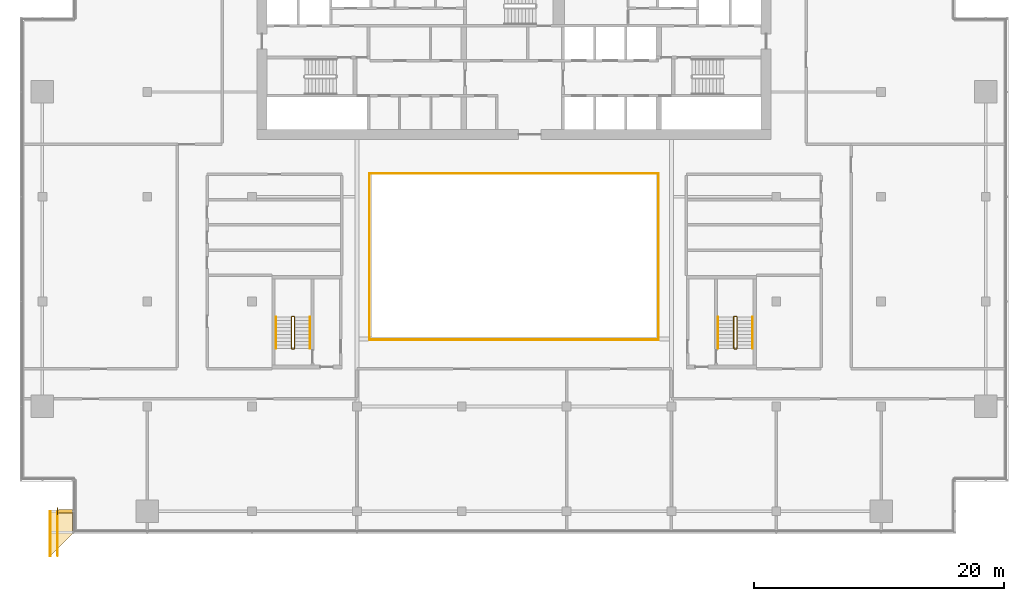
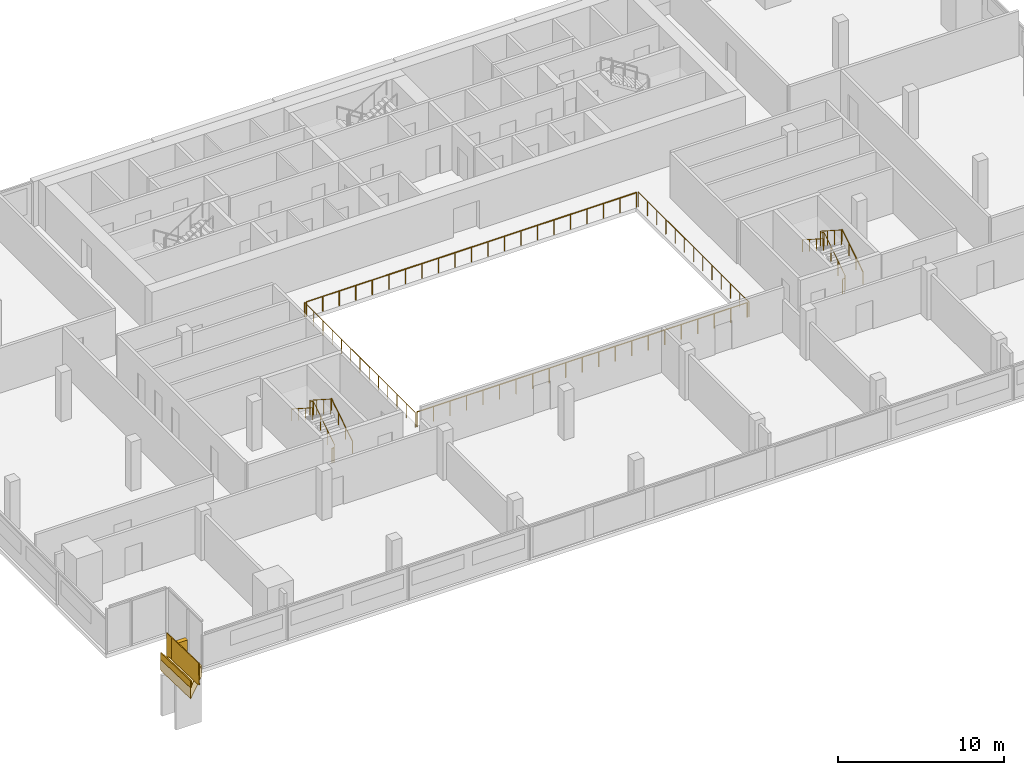
# One storey, part 23 of 24: 12 railings, 3 coverings.
"""IFC4 building model written with IfcOpenShell, lengths in metres."""

from ifc_helpers import new_model, si_unit, direction, frame, origin, origin_2d, place, context, subcontext, project, spatial, polyline, rectangle, circle, outline, extrude, material, layer, layer_set, type_object, element, save


model = new_model("IFC4")

# Units and contexts
model_context = context("Model", 3, precision=1e-05, world=origin(), true_north=direction((0.0, 1.0)))
body_context = subcontext(model_context, "Body", "Model", "MODEL_VIEW")
ifc_project = project(units=[si_unit("LENGTHUNIT", "METRE"), si_unit("AREAUNIT", "SQUARE_METRE"), si_unit("VOLUMEUNIT", "CUBIC_METRE"), si_unit("PLANEANGLEUNIT", "RADIAN"), si_unit("MASSUNIT", "GRAM", prefix="KILO")], contexts=[model_context])

# Site, building, storey
site_placement = place(None, origin())
site = spatial("IfcSite", under=ifc_project, at=site_placement, CompositionType="ELEMENT")
building_placement = place(site_placement, origin())
building = spatial("IfcBuilding", under=site, at=building_placement, Name="Saffron Gate Tower", CompositionType="ELEMENT")
storey_placement = place(building_placement, frame((0.0, 0.0, 190.64990234375)))
storey = spatial("IfcBuildingStorey", under=building, at=storey_placement, Name="L47", CompositionType="ELEMENT", Elevation=190.64990234375)

# Railings
ifc_material_1 = material(Name="Stainless steel and laminated glass", Category="steel")
railing_type_1 = type_object("IfcRailingType", Name="AG1 Atrium edge guard 1100", PredefinedType="GUARDRAIL", material=ifc_material_1)
railing_1_placement = place(storey_placement, frame((76.02001953125, 45.5400390625, 0.0)))
element("IfcRailing", 1, at=railing_1_placement, inside=storey, type_object=railing_type_1, Name="Guard C5-1", PredefinedType="GUARDRAIL", context=body_context, shape_type="SweptSolid", body=[
    extrude(circle(Radius=0.02392578125, at=origin_2d()), frame((0.0, 0.0, 1.076171875), z_axis=(0.0, 1.0, 0.0), x_axis=(-1.0, 0.0, 0.0)), (0.0, 0.0, 1.0), 13.320068359375),
    extrude(circle(Radius=0.02099609375, at=origin_2d()), origin(), (0.0, 0.0, 1.0), 1.052001953125),
    extrude(circle(Radius=0.02099609375, at=origin_2d()), frame((0.0, 1.110107421875, 0.0)), (0.0, 0.0, 1.0), 1.052001953125),
    extrude(circle(Radius=0.02099609375, at=origin_2d()), frame((0.0, 2.219970703125, 0.0)), (0.0, 0.0, 1.0), 1.052001953125),
    extrude(circle(Radius=0.02099609375, at=origin_2d()), frame((0.0, 3.330078125, 0.0)), (0.0, 0.0, 1.0), 1.052001953125),
    extrude(circle(Radius=0.02099609375, at=origin_2d()), frame((0.0, 4.43994140625, 0.0)), (0.0, 0.0, 1.0), 1.052001953125),
    extrude(circle(Radius=0.02099609375, at=origin_2d()), frame((0.0, 5.550048828125, 0.0)), (0.0, 0.0, 1.0), 1.052001953125),
    extrude(circle(Radius=0.02099609375, at=origin_2d()), frame((0.0, 6.66015625, 0.0)), (0.0, 0.0, 1.0), 1.052001953125),
    extrude(circle(Radius=0.02099609375, at=origin_2d()), frame((0.0, 7.77001953125, 0.0)), (0.0, 0.0, 1.0), 1.052001953125),
    extrude(circle(Radius=0.02099609375, at=origin_2d()), frame((0.0, 8.880126953125, 0.0)), (0.0, 0.0, 1.0), 1.052001953125),
    extrude(circle(Radius=0.02099609375, at=origin_2d()), frame((0.0, 9.989990234375, 0.0)), (0.0, 0.0, 1.0), 1.052001953125),
    extrude(circle(Radius=0.02099609375, at=origin_2d()), frame((0.0, 11.10009765625, 0.0)), (0.0, 0.0, 1.0), 1.052001953125),
    extrude(circle(Radius=0.02099609375, at=origin_2d()), frame((0.0, 12.2099609375, 0.0)), (0.0, 0.0, 1.0), 1.052001953125),
    extrude(circle(Radius=0.02099609375, at=origin_2d()), frame((0.0, 13.320068359375, 0.0)), (0.0, 0.0, 1.0), 1.052001953125),
])
railing_2_placement = place(storey_placement, frame((76.139892578125, 58.860107421875, 0.0)))
element("IfcRailing", 2, at=railing_2_placement, inside=storey, type_object=railing_type_1, Name="Guard C5-2", PredefinedType="GUARDRAIL", context=body_context, shape_type="SweptSolid", body=[
    extrude(circle(Radius=0.02392578125, at=origin_2d()), frame((0.0, 0.0, 1.076171875), z_axis=(1.0, 0.0, 0.0), x_axis=(0.0, 1.0, 0.0)), (0.0, 0.0, 1.0), 22.920166015625),
    extrude(circle(Radius=0.02099609375, at=origin_2d()), origin(), (0.0, 0.0, 1.0), 1.052001953125),
    extrude(circle(Radius=0.02099609375, at=origin_2d()), frame((1.14599609375, 0.0, 0.0)), (0.0, 0.0, 1.0), 1.052001953125),
    extrude(circle(Radius=0.02099609375, at=origin_2d()), frame((2.2919921875, 0.0, 0.0)), (0.0, 0.0, 1.0), 1.052001953125),
    extrude(circle(Radius=0.02099609375, at=origin_2d()), frame((3.43798828125, 0.0, 0.0)), (0.0, 0.0, 1.0), 1.052001953125),
    extrude(circle(Radius=0.02099609375, at=origin_2d()), frame((4.583984375, 0.0, 0.0)), (0.0, 0.0, 1.0), 1.052001953125),
    extrude(circle(Radius=0.02099609375, at=origin_2d()), frame((5.72998046875, 0.0, 0.0)), (0.0, 0.0, 1.0), 1.052001953125),
    extrude(circle(Radius=0.02099609375, at=origin_2d()), frame((6.8759765625, 0.0, 0.0)), (0.0, 0.0, 1.0), 1.052001953125),
    extrude(circle(Radius=0.02099609375, at=origin_2d()), frame((8.02197265625, 0.0, 0.0)), (0.0, 0.0, 1.0), 1.052001953125),
    extrude(circle(Radius=0.02099609375, at=origin_2d()), frame((9.16796875, 0.0, 0.0)), (0.0, 0.0, 1.0), 1.052001953125),
    extrude(circle(Radius=0.02099609375, at=origin_2d()), frame((10.31396484375, 0.0, 0.0)), (0.0, 0.0, 1.0), 1.052001953125),
    extrude(circle(Radius=0.02099609375, at=origin_2d()), frame((11.4599609375, 0.0, 0.0)), (0.0, 0.0, 1.0), 1.052001953125),
    extrude(circle(Radius=0.02099609375, at=origin_2d()), frame((12.606201171875, 0.0, 0.0)), (0.0, 0.0, 1.0), 1.052001953125),
    extrude(circle(Radius=0.02099609375, at=origin_2d()), frame((13.752197265625, 0.0, 0.0)), (0.0, 0.0, 1.0), 1.052001953125),
    extrude(circle(Radius=0.02099609375, at=origin_2d()), frame((14.898193359375, 0.0, 0.0)), (0.0, 0.0, 1.0), 1.052001953125),
    extrude(circle(Radius=0.02099609375, at=origin_2d()), frame((16.044189453125, 0.0, 0.0)), (0.0, 0.0, 1.0), 1.052001953125),
    extrude(circle(Radius=0.02099609375, at=origin_2d()), frame((17.190185546875, 0.0, 0.0)), (0.0, 0.0, 1.0), 1.052001953125),
    extrude(circle(Radius=0.02099609375, at=origin_2d()), frame((18.336181640625, 0.0, 0.0)), (0.0, 0.0, 1.0), 1.052001953125),
    extrude(circle(Radius=0.02099609375, at=origin_2d()), frame((19.482177734375, 0.0, 0.0)), (0.0, 0.0, 1.0), 1.052001953125),
    extrude(circle(Radius=0.02099609375, at=origin_2d()), frame((20.628173828125, 0.0, 0.0)), (0.0, 0.0, 1.0), 1.052001953125),
    extrude(circle(Radius=0.02099609375, at=origin_2d()), frame((21.774169921875, 0.0, 0.0)), (0.0, 0.0, 1.0), 1.052001953125),
    extrude(circle(Radius=0.02099609375, at=origin_2d()), frame((22.920166015625, 0.0, 0.0)), (0.0, 0.0, 1.0), 1.052001953125),
])
railing_3_placement = place(storey_placement, frame((99.179931640625, 58.860107421875, 0.0)))
element("IfcRailing", 3, at=railing_3_placement, inside=storey, type_object=railing_type_1, Name="Guard C5-3", PredefinedType="GUARDRAIL", context=body_context, shape_type="SweptSolid", body=[
    extrude(circle(Radius=0.02392578125, at=origin_2d()), frame((0.0, 0.0, 1.076171875), z_axis=(0.0, -1.0, 0.0), x_axis=(1.0, 0.0, 0.0)), (0.0, 0.0, 1.0), 13.320068359375),
    extrude(circle(Radius=0.02099609375, at=origin_2d()), origin(), (0.0, 0.0, 1.0), 1.052001953125),
    extrude(circle(Radius=0.02099609375, at=origin_2d()), frame((0.0, -1.110107421875, 0.0)), (0.0, 0.0, 1.0), 1.052001953125),
    extrude(circle(Radius=0.02099609375, at=origin_2d()), frame((0.0, -2.219970703125, 0.0)), (0.0, 0.0, 1.0), 1.052001953125),
    extrude(circle(Radius=0.02099609375, at=origin_2d()), frame((0.0, -3.330078125, 0.0)), (0.0, 0.0, 1.0), 1.052001953125),
    extrude(circle(Radius=0.02099609375, at=origin_2d()), frame((0.0, -4.43994140625, 0.0)), (0.0, 0.0, 1.0), 1.052001953125),
    extrude(circle(Radius=0.02099609375, at=origin_2d()), frame((0.0, -5.550048828125, 0.0)), (0.0, 0.0, 1.0), 1.052001953125),
    extrude(circle(Radius=0.02099609375, at=origin_2d()), frame((0.0, -6.66015625, 0.0)), (0.0, 0.0, 1.0), 1.052001953125),
    extrude(circle(Radius=0.02099609375, at=origin_2d()), frame((0.0, -7.77001953125, 0.0)), (0.0, 0.0, 1.0), 1.052001953125),
    extrude(circle(Radius=0.02099609375, at=origin_2d()), frame((0.0, -8.880126953125, 0.0)), (0.0, 0.0, 1.0), 1.052001953125),
    extrude(circle(Radius=0.02099609375, at=origin_2d()), frame((0.0, -9.989990234375, 0.0)), (0.0, 0.0, 1.0), 1.052001953125),
    extrude(circle(Radius=0.02099609375, at=origin_2d()), frame((0.0, -11.10009765625, 0.0)), (0.0, 0.0, 1.0), 1.052001953125),
    extrude(circle(Radius=0.02099609375, at=origin_2d()), frame((0.0, -12.2099609375, 0.0)), (0.0, 0.0, 1.0), 1.052001953125),
    extrude(circle(Radius=0.02099609375, at=origin_2d()), frame((0.0, -13.320068359375, 0.0)), (0.0, 0.0, 1.0), 1.052001953125),
])
railing_4_placement = place(storey_placement, frame((99.06005859375, 45.5400390625, 0.0)))
element("IfcRailing", 4, at=railing_4_placement, inside=storey, type_object=railing_type_1, Name="Guard C5-4", PredefinedType="GUARDRAIL", context=body_context, shape_type="SweptSolid", body=[
    extrude(circle(Radius=0.02392578125, at=origin_2d()), frame((0.0, 0.0, 1.076171875), z_axis=(-1.0, 0.0, 0.0), x_axis=(0.0, -1.0, 0.0)), (0.0, 0.0, 1.0), 22.920166015625),
    extrude(circle(Radius=0.02099609375, at=origin_2d()), origin(), (0.0, 0.0, 1.0), 1.052001953125),
    extrude(circle(Radius=0.02099609375, at=origin_2d()), frame((-1.14599609375, 0.0, 0.0)), (0.0, 0.0, 1.0), 1.052001953125),
    extrude(circle(Radius=0.02099609375, at=origin_2d()), frame((-2.2919921875, 0.0, 0.0)), (0.0, 0.0, 1.0), 1.052001953125),
    extrude(circle(Radius=0.02099609375, at=origin_2d()), frame((-3.43798828125, 0.0, 0.0)), (0.0, 0.0, 1.0), 1.052001953125),
    extrude(circle(Radius=0.02099609375, at=origin_2d()), frame((-4.583984375, 0.0, 0.0)), (0.0, 0.0, 1.0), 1.052001953125),
    extrude(circle(Radius=0.02099609375, at=origin_2d()), frame((-5.72998046875, 0.0, 0.0)), (0.0, 0.0, 1.0), 1.052001953125),
    extrude(circle(Radius=0.02099609375, at=origin_2d()), frame((-6.8759765625, 0.0, 0.0)), (0.0, 0.0, 1.0), 1.052001953125),
    extrude(circle(Radius=0.02099609375, at=origin_2d()), frame((-8.02197265625, 0.0, 0.0)), (0.0, 0.0, 1.0), 1.052001953125),
    extrude(circle(Radius=0.02099609375, at=origin_2d()), frame((-9.16796875, 0.0, 0.0)), (0.0, 0.0, 1.0), 1.052001953125),
    extrude(circle(Radius=0.02099609375, at=origin_2d()), frame((-10.31396484375, 0.0, 0.0)), (0.0, 0.0, 1.0), 1.052001953125),
    extrude(circle(Radius=0.02099609375, at=origin_2d()), frame((-11.4599609375, 0.0, 0.0)), (0.0, 0.0, 1.0), 1.052001953125),
    extrude(circle(Radius=0.02099609375, at=origin_2d()), frame((-12.606201171875, 0.0, 0.0)), (0.0, 0.0, 1.0), 1.052001953125),
    extrude(circle(Radius=0.02099609375, at=origin_2d()), frame((-13.752197265625, 0.0, 0.0)), (0.0, 0.0, 1.0), 1.052001953125),
    extrude(circle(Radius=0.02099609375, at=origin_2d()), frame((-14.898193359375, 0.0, 0.0)), (0.0, 0.0, 1.0), 1.052001953125),
    extrude(circle(Radius=0.02099609375, at=origin_2d()), frame((-16.044189453125, 0.0, 0.0)), (0.0, 0.0, 1.0), 1.052001953125),
    extrude(circle(Radius=0.02099609375, at=origin_2d()), frame((-17.190185546875, 0.0, 0.0)), (0.0, 0.0, 1.0), 1.052001953125),
    extrude(circle(Radius=0.02099609375, at=origin_2d()), frame((-18.336181640625, 0.0, 0.0)), (0.0, 0.0, 1.0), 1.052001953125),
    extrude(circle(Radius=0.02099609375, at=origin_2d()), frame((-19.482177734375, 0.0, 0.0)), (0.0, 0.0, 1.0), 1.052001953125),
    extrude(circle(Radius=0.02099609375, at=origin_2d()), frame((-20.628173828125, 0.0, 0.0)), (0.0, 0.0, 1.0), 1.052001953125),
    extrude(circle(Radius=0.02099609375, at=origin_2d()), frame((-21.774169921875, 0.0, 0.0)), (0.0, 0.0, 1.0), 1.052001953125),
    extrude(circle(Radius=0.02099609375, at=origin_2d()), frame((-22.920166015625, 0.0, 0.0)), (0.0, 0.0, 1.0), 1.052001953125),
])
railing_type_2 = type_object("IfcRailingType", Name="CR1 Stair guard 1100", PredefinedType="GUARDRAIL", material=ifc_material_1)
railing_5_placement = place(storey_placement, frame((69.800048828125, 44.800048828125, 0.0)))
element("IfcRailing", 5, at=railing_5_placement, inside=storey, type_object=railing_type_2, Name="L47 ST-D stair guard 1", PredefinedType="GUARDRAIL", context=body_context, shape_type="SweptSolid", body=[
    extrude(circle(Radius=0.02392578125, at=origin_2d()), frame((0.0, 0.0, 1.076171875), z_axis=(1.0, 0.0, 0.0), x_axis=(0.0, 1.0, 0.0)), (0.0, 0.0, 1.0), 0.14990234375),
    extrude(circle(Radius=0.02392578125, at=origin_2d()), frame((0.14990234375, 0.0, 1.076171875), z_axis=(0.258543844998, 0.258543844998, 0.930757841991), x_axis=(-0.707106781187, 0.707106781187, 0.0)), (0.0, 0.0, 1.0), 0.193603515625),
    extrude(circle(Radius=0.02392578125, at=origin_2d()), frame((0.199951171875, 0.050048828125, 1.25634765625), z_axis=(0.0, 0.841199657755, 0.540724639528), x_axis=(-1.0, 0.0, 0.0)), (0.0, 0.0, 1.0), 2.995849609375),
    extrude(circle(Radius=0.02392578125, at=origin_2d()), frame((0.199951171875, 2.570068359375, 2.8759765625), z_axis=(-0.708833529934, 0.705375805398, 0.0), x_axis=(-0.705375805398, -0.708833529934, 0.0)), (0.0, 0.0, 1.0), 0.070556640625),
    extrude(circle(Radius=0.02392578125, at=origin_2d()), frame((0.14990234375, 2.619873046875, 2.8759765625), z_axis=(-1.0, 0.0, 0.0), x_axis=(0.0, -1.0, 0.0)), (0.0, 0.0, 1.0), 0.14990234375),
    extrude(circle(Radius=0.02392578125, at=origin_2d()), frame((0.0, 2.619873046875, 2.8759765625), z_axis=(-0.258932105505, -0.257669022063, 0.930892496375), x_axis=(0.705375805398, -0.708833529934, 0.0)), (0.0, 0.0, 1.0), 0.193359375),
    extrude(circle(Radius=0.02392578125, at=origin_2d()), frame((-0.050048828125, 2.570068359375, 3.05615234375), z_axis=(0.0, -0.841162588446, 0.540782303519), x_axis=(1.0, 0.0, 0.0)), (0.0, 0.0, 1.0), 2.995849609375),
    extrude(circle(Radius=0.02099609375, at=origin_2d()), origin(), (0.0, 0.0, 1.0), 1.052001953125),
    extrude(circle(Radius=0.02099609375, at=origin_2d()), frame((0.14990234375, 0.0, 0.0)), (0.0, 0.0, 1.0), 1.052001953125),
    extrude(circle(Radius=0.02099609375, at=origin_2d()), frame((0.199951171875, 0.050048828125, 0.18017578125)), (0.0, 0.0, 1.0), 1.052001953125),
    extrude(circle(Radius=0.02099609375, at=origin_2d()), frame((0.199951171875, 0.89013671875, 0.72021484375)), (0.0, 0.0, 1.0), 1.052001953125),
    extrude(circle(Radius=0.02099609375, at=origin_2d()), frame((0.199951171875, 1.72998046875, 1.260009765625)), (0.0, 0.0, 1.0), 1.052001953125),
    extrude(circle(Radius=0.02099609375, at=origin_2d()), frame((0.199951171875, 2.570068359375, 1.800048828125)), (0.0, 0.0, 1.0), 1.052001953125),
    extrude(circle(Radius=0.02099609375, at=origin_2d()), frame((0.14990234375, 2.619873046875, 1.800048828125)), (0.0, 0.0, 1.0), 1.052001953125),
    extrude(circle(Radius=0.02099609375, at=origin_2d()), frame((0.0, 2.619873046875, 1.800048828125)), (0.0, 0.0, 1.0), 1.052001953125),
    extrude(circle(Radius=0.02099609375, at=origin_2d()), frame((-0.050048828125, 2.570068359375, 1.97998046875)), (0.0, 0.0, 1.0), 1.052001953125),
    extrude(circle(Radius=0.02099609375, at=origin_2d()), frame((-0.050048828125, 1.72998046875, 2.52001953125)), (0.0, 0.0, 1.0), 1.052001953125),
    extrude(circle(Radius=0.02099609375, at=origin_2d()), frame((-0.050048828125, 0.89013671875, 3.06005859375)), (0.0, 0.0, 1.0), 1.052001953125),
    extrude(circle(Radius=0.02099609375, at=origin_2d()), frame((-0.050048828125, 0.050048828125, 3.60009765625)), (0.0, 0.0, 1.0), 1.052001953125),
])
railing_6_placement = place(storey_placement, frame((105.25, 44.800048828125, 0.0)))
element("IfcRailing", 6, at=railing_6_placement, inside=storey, type_object=railing_type_2, Name="L47 ST-E stair guard 1", PredefinedType="GUARDRAIL", context=body_context, shape_type="SweptSolid", body=[
    extrude(circle(Radius=0.02392578125, at=origin_2d()), frame((0.0, 0.0, 1.076171875), z_axis=(1.0, 0.0, 0.0), x_axis=(0.0, 1.0, 0.0)), (0.0, 0.0, 1.0), 0.14990234375),
    extrude(circle(Radius=0.02392578125, at=origin_2d()), frame((0.14990234375, 0.0, 1.076171875), z_axis=(0.258543844998, 0.258543844998, 0.930757841991), x_axis=(-0.707106781187, 0.707106781187, 0.0)), (0.0, 0.0, 1.0), 0.193603515625),
    extrude(circle(Radius=0.02392578125, at=origin_2d()), frame((0.199951171875, 0.050048828125, 1.25634765625), z_axis=(0.0, 0.841199657755, 0.540724639528), x_axis=(-1.0, 0.0, 0.0)), (0.0, 0.0, 1.0), 2.995849609375),
    extrude(circle(Radius=0.02392578125, at=origin_2d()), frame((0.199951171875, 2.570068359375, 2.8759765625), z_axis=(-0.708833529934, 0.705375805398, 0.0), x_axis=(-0.705375805398, -0.708833529934, 0.0)), (0.0, 0.0, 1.0), 0.070556640625),
    extrude(circle(Radius=0.02392578125, at=origin_2d()), frame((0.14990234375, 2.619873046875, 2.8759765625), z_axis=(-1.0, 0.0, 0.0), x_axis=(0.0, -1.0, 0.0)), (0.0, 0.0, 1.0), 0.14990234375),
    extrude(circle(Radius=0.02392578125, at=origin_2d()), frame((0.0, 2.619873046875, 2.8759765625), z_axis=(-0.258932105505, -0.257669022063, 0.930892496375), x_axis=(0.705375805398, -0.708833529934, 0.0)), (0.0, 0.0, 1.0), 0.193359375),
    extrude(circle(Radius=0.02392578125, at=origin_2d()), frame((-0.050048828125, 2.570068359375, 3.05615234375), z_axis=(0.0, -0.841162588446, 0.540782303519), x_axis=(1.0, 0.0, 0.0)), (0.0, 0.0, 1.0), 2.995849609375),
    extrude(circle(Radius=0.02099609375, at=origin_2d()), origin(), (0.0, 0.0, 1.0), 1.052001953125),
    extrude(circle(Radius=0.02099609375, at=origin_2d()), frame((0.14990234375, 0.0, 0.0)), (0.0, 0.0, 1.0), 1.052001953125),
    extrude(circle(Radius=0.02099609375, at=origin_2d()), frame((0.199951171875, 0.050048828125, 0.18017578125)), (0.0, 0.0, 1.0), 1.052001953125),
    extrude(circle(Radius=0.02099609375, at=origin_2d()), frame((0.199951171875, 0.89013671875, 0.72021484375)), (0.0, 0.0, 1.0), 1.052001953125),
    extrude(circle(Radius=0.02099609375, at=origin_2d()), frame((0.199951171875, 1.72998046875, 1.260009765625)), (0.0, 0.0, 1.0), 1.052001953125),
    extrude(circle(Radius=0.02099609375, at=origin_2d()), frame((0.199951171875, 2.570068359375, 1.800048828125)), (0.0, 0.0, 1.0), 1.052001953125),
    extrude(circle(Radius=0.02099609375, at=origin_2d()), frame((0.14990234375, 2.619873046875, 1.800048828125)), (0.0, 0.0, 1.0), 1.052001953125),
    extrude(circle(Radius=0.02099609375, at=origin_2d()), frame((0.0, 2.619873046875, 1.800048828125)), (0.0, 0.0, 1.0), 1.052001953125),
    extrude(circle(Radius=0.02099609375, at=origin_2d()), frame((-0.050048828125, 2.570068359375, 1.97998046875)), (0.0, 0.0, 1.0), 1.052001953125),
    extrude(circle(Radius=0.02099609375, at=origin_2d()), frame((-0.050048828125, 1.72998046875, 2.52001953125)), (0.0, 0.0, 1.0), 1.052001953125),
    extrude(circle(Radius=0.02099609375, at=origin_2d()), frame((-0.050048828125, 0.89013671875, 3.06005859375)), (0.0, 0.0, 1.0), 1.052001953125),
    extrude(circle(Radius=0.02099609375, at=origin_2d()), frame((-0.050048828125, 0.050048828125, 3.60009765625)), (0.0, 0.0, 1.0), 1.052001953125),
])
ifc_material_2 = material(Name="Stainless steel", Category="steel")
railing_type_3 = type_object("IfcRailingType", Name="CR2 Stair handrail 900", PredefinedType="HANDRAIL", material=ifc_material_2)
railing_7_placement = place(storey_placement, frame((71.25, 44.85009765625, 0.18017578125)))
element("IfcRailing", 7, at=railing_7_placement, inside=storey, type_object=railing_type_3, Name="L47 ST-D stair handrail 1", PredefinedType="HANDRAIL", context=body_context, shape_type="SweptSolid", body=[
    extrude(circle(Radius=0.02392578125, at=origin_2d()), frame((0.0, 0.0, 0.8759765625), z_axis=(0.0, 0.841199657755, 0.540724639528), x_axis=(-1.0, 0.0, 0.0)), (0.0, 0.0, 1.0), 2.995849609375),
    extrude(circle(Radius=0.02099609375, at=origin_2d()), origin(), (0.0, 0.0, 1.0), 0.851806640625),
    extrude(circle(Radius=0.02099609375, at=origin_2d()), frame((0.0, 0.840087890625, 0.5400390625)), (0.0, 0.0, 1.0), 0.851806640625),
    extrude(circle(Radius=0.02099609375, at=origin_2d()), frame((0.0, 1.679931640625, 1.079833984375)), (0.0, 0.0, 1.0), 0.851806640625),
    extrude(circle(Radius=0.02099609375, at=origin_2d()), frame((0.0, 2.52001953125, 1.619873046875)), (0.0, 0.0, 1.0), 0.851806640625),
])
railing_8_placement = place(storey_placement, frame((68.5, 47.3701171875, 1.97998046875)))
element("IfcRailing", 8, at=railing_8_placement, inside=storey, type_object=railing_type_3, Name="L47 ST-D stair handrail 2", PredefinedType="HANDRAIL", context=body_context, shape_type="SweptSolid", body=[
    extrude(circle(Radius=0.02392578125, at=origin_2d()), frame((0.0, 0.0, 0.8759765625), z_axis=(0.0, -0.841162588446, 0.540782303519), x_axis=(1.0, 0.0, 0.0)), (0.0, 0.0, 1.0), 2.995849609375),
    extrude(circle(Radius=0.02099609375, at=origin_2d()), origin(), (0.0, 0.0, 1.0), 0.851806640625),
    extrude(circle(Radius=0.02099609375, at=origin_2d()), frame((0.0, -0.840087890625, 0.5400390625)), (0.0, 0.0, 1.0), 0.851806640625),
    extrude(circle(Radius=0.02099609375, at=origin_2d()), frame((0.0, -1.679931640625, 1.080078125)), (0.0, 0.0, 1.0), 0.851806640625),
    extrude(circle(Radius=0.02099609375, at=origin_2d()), frame((0.0, -2.52001953125, 1.6201171875)), (0.0, 0.0, 1.0), 0.851806640625),
])
railing_9_placement = place(storey_placement, frame((106.699951171875, 44.85009765625, 0.18017578125)))
element("IfcRailing", 9, at=railing_9_placement, inside=storey, type_object=railing_type_3, Name="L47 ST-E stair handrail 1", PredefinedType="HANDRAIL", context=body_context, shape_type="SweptSolid", body=[
    extrude(circle(Radius=0.02392578125, at=origin_2d()), frame((0.0, 0.0, 0.8759765625), z_axis=(0.0, 0.841199657755, 0.540724639528), x_axis=(-1.0, 0.0, 0.0)), (0.0, 0.0, 1.0), 2.995849609375),
    extrude(circle(Radius=0.02099609375, at=origin_2d()), origin(), (0.0, 0.0, 1.0), 0.851806640625),
    extrude(circle(Radius=0.02099609375, at=origin_2d()), frame((0.0, 0.840087890625, 0.5400390625)), (0.0, 0.0, 1.0), 0.851806640625),
    extrude(circle(Radius=0.02099609375, at=origin_2d()), frame((0.0, 1.679931640625, 1.079833984375)), (0.0, 0.0, 1.0), 0.851806640625),
    extrude(circle(Radius=0.02099609375, at=origin_2d()), frame((0.0, 2.52001953125, 1.619873046875)), (0.0, 0.0, 1.0), 0.851806640625),
])
railing_10_placement = place(storey_placement, frame((103.949951171875, 47.3701171875, 1.97998046875)))
element("IfcRailing", 10, at=railing_10_placement, inside=storey, type_object=railing_type_3, Name="L47 ST-E stair handrail 2", PredefinedType="HANDRAIL", context=body_context, shape_type="SweptSolid", body=[
    extrude(circle(Radius=0.02392578125, at=origin_2d()), frame((0.0, 0.0, 0.8759765625), z_axis=(0.0, -0.841162588446, 0.540782303519), x_axis=(1.0, 0.0, 0.0)), (0.0, 0.0, 1.0), 2.995849609375),
    extrude(circle(Radius=0.02099609375, at=origin_2d()), origin(), (0.0, 0.0, 1.0), 0.851806640625),
    extrude(circle(Radius=0.02099609375, at=origin_2d()), frame((0.0, -0.840087890625, 0.5400390625)), (0.0, 0.0, 1.0), 0.851806640625),
    extrude(circle(Radius=0.02099609375, at=origin_2d()), frame((0.0, -1.679931640625, 1.080078125)), (0.0, 0.0, 1.0), 0.851806640625),
    extrude(circle(Radius=0.02099609375, at=origin_2d()), frame((0.0, -2.52001953125, 1.6201171875)), (0.0, 0.0, 1.0), 0.851806640625),
])

# Coverings
ifc_material_3 = material(Name="Timber, thermally modified ash", Category="wood")
ifc_layer_1 = layer(ifc_material_3, 0.800048828125)
ifc_layer_set_1 = layer_set([ifc_layer_1], Name="LD1 ledge timber")
covering_type_1 = type_object("IfcCoveringType", Name="LD1 ledge timber", PredefinedType="CLADDING", material=ifc_layer_set_1)
covering_1_placement = place(storey_placement, frame((52.199951171875, 31.800048828125, 0.2490234375), z_axis=(-4.5191205e-05, 0.028831989003, 0.999584270769), x_axis=(2.041e-09, -0.999584271789, 0.028831989032)))
element("IfcCovering", 11, at=covering_1_placement, inside=storey, type_object=covering_type_1, Name="LEDGE", PredefinedType="CLADDING", context=body_context, shape_type="SweptSolid", body=[
    extrude(outline(polyline([(0.0, 0.0), (1.8007998167885757, 0.0), (3.6015925908427215, -1.800048837315338), (-3.6746077267916745e-09, -1.80004882628693), (0.0, 0.0)])), origin(), (0.0, 0.0, -1.0), 0.800048828125),
])
ifc_layer_2 = layer(ifc_material_3, 0.080078125)
ifc_layer_set_2 = layer_set([ifc_layer_2], Name="LD2 ledge planter trough")
covering_type_2 = type_object("IfcCoveringType", Name="LD2 ledge planter trough", PredefinedType="CLADDING", material=ifc_layer_set_2)
covering_2_placement = place(storey_placement, frame((50.39990234375, 31.800048828125, 0.2490234375), z_axis=(-1.0, 0.0, 0.0), x_axis=(0.0, -0.99958492274, 0.028809412191)))
element("IfcCovering", 12, at=covering_2_placement, inside=storey, type_object=covering_type_2, Name="LEDGE planter trough", PredefinedType="CLADDING", context=body_context, shape_type="SweptSolid", body=[
    extrude(outline(polyline([(0.0, 0.0), (3.601592595435983, 0.0), (3.6159973015313485, 0.4997924613700232), (0.014404706095365512, 0.4997924613700232), (0.0, 0.0)])), origin(), (0.0, 0.0, -1.0), 0.080078125),
])
ifc_layer_3 = layer(ifc_material_3, 0.300048828125)
ifc_layer_set_3 = layer_set([ifc_layer_3], Name="LD3 ledge riser fin")
covering_type_3 = type_object("IfcCoveringType", Name="LD3 ledge riser fin", PredefinedType="CLADDING", material=ifc_layer_set_3)
covering_3_placement = place(storey_placement, frame((51.639892578125, 31.800048828125, -0.893798828125), z_axis=(0.0, 0.0, 1.0), x_axis=(0.0, -1.0, 0.0)))
element("IfcCovering", 13, at=covering_3_placement, inside=storey, type_object=covering_type_3, Name="LEDGE riser fin", PredefinedType="CLADDING", context=body_context, shape_type="SweptSolid", body=[
    extrude(rectangle(XDim=0.300048828125, YDim=1.1201171875, at=origin_2d()), origin(), (0.0, 0.0, 1.0), 2.04296875),
])

# Railings
railing_type_4 = type_object("IfcRailingType", Name="LG1 ledge balustrade", PredefinedType="BALUSTRADE", material=ifc_material_3)
railing_11_placement = place(storey_placement, frame((51.0, 31.800048828125, 0.2490234375)))
element("IfcRailing", 14, at=railing_11_placement, inside=storey, type_object=railing_type_4, Name="LEDGE BALUSTRADE", PredefinedType="BALUSTRADE", context=body_context, shape_type="SweptSolid", body=[
    extrude(rectangle(XDim=0.06005859375, YDim=1.60009765625, at=origin_2d()), frame((0.0, 0.0, 0.800048828125), z_axis=(0.0, -0.99958492274, 0.028809412191), x_axis=(1.0, 0.0, 0.0)), (0.0, 0.0, 1.0), 3.6015625),
])
railing_12_placement = place(storey_placement, frame((51.0, 32.10009765625, -0.093994140625)))
element("IfcRailing", 15, at=railing_12_placement, inside=storey, type_object=railing_type_4, Name="LEDGE BALUSTRADE", PredefinedType="BALUSTRADE", context=body_context, shape_type="SweptSolid", body=[
    extrude(rectangle(XDim=0.06005859375, YDim=1.943115234375, at=origin_2d()), frame((0.0, 0.0, 0.9716796875), z_axis=(0.0, -1.0, 0.0), x_axis=(1.0, 0.0, 0.0)), (0.0, 0.0, 1.0), 0.60009765625),
])

save(model, "model.ifc")
